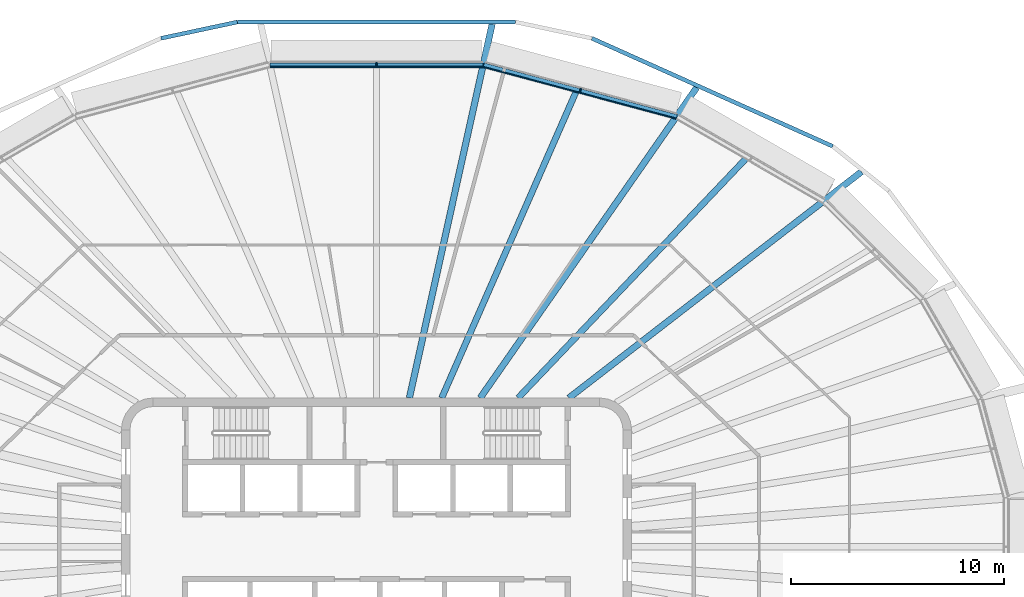
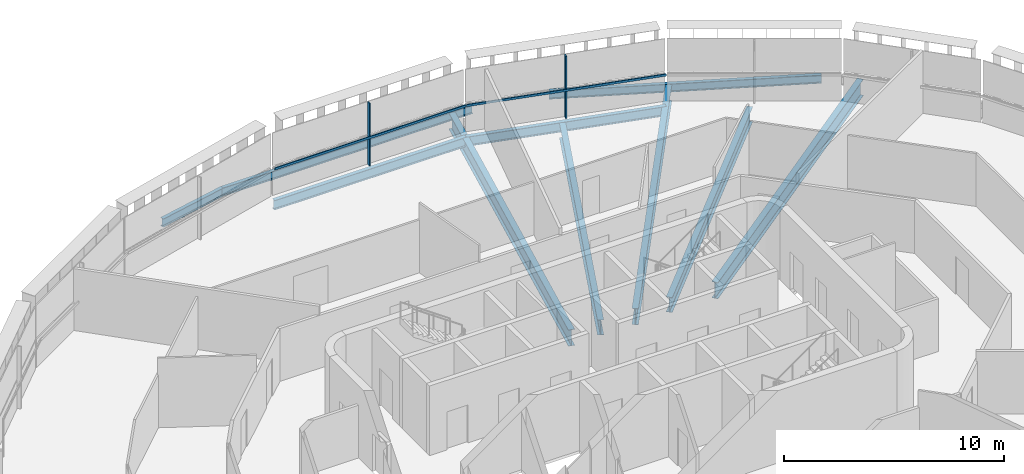
# One storey, part 7 of 20: 10 beams, 4 members, 2 elements without a shape of their own.
"""IFC4 building model written with IfcOpenShell, lengths in metres."""

from ifc_helpers import new_model, si_unit, direction, frame, origin, origin_2d, place, context, subcontext, project, spatial, rectangle, i_section, extrude, material, layer, layer_set, material_profile, profile_set, type_object, element, aggregate, save


model = new_model("IFC4")

# Units and contexts
model_context = context("Model", 3, precision=1e-05, world=origin(), true_north=direction((0.0, 1.0)))
body_context = subcontext(model_context, "Body", "Model", "MODEL_VIEW")
ifc_project = project(units=[si_unit("LENGTHUNIT", "METRE"), si_unit("AREAUNIT", "SQUARE_METRE"), si_unit("VOLUMEUNIT", "CUBIC_METRE"), si_unit("PLANEANGLEUNIT", "RADIAN"), si_unit("MASSUNIT", "GRAM", prefix="KILO")], contexts=[model_context])

# Site, building, storey
site_placement = place(None, origin())
site = spatial("IfcSite", under=ifc_project, at=site_placement, CompositionType="ELEMENT")
building_placement = place(site_placement, origin())
building = spatial("IfcBuilding", under=site, at=building_placement, Name="Sahrelin Media Tower", CompositionType="ELEMENT")
storey_placement = place(building_placement, frame((0.0, 0.0, 271.0)))
storey = spatial("IfcBuildingStorey", under=building, at=storey_placement, Name="L59", CompositionType="ELEMENT", Elevation=271.0)

# Beams
ifc_material_1 = material(Name="Steel S355", Category="steel")
ifc_material_profile_1 = material_profile(ifc_material_1, i_section(OverallWidth=0.208740234375, OverallDepth=0.5283203125, WebThickness=0.009521484375, FlangeThickness=0.01318359375, FilletRadius=0.0126953125, at=origin_2d()), Name="UB 533x210x82")
ifc_profile_set_1 = profile_set([ifc_material_profile_1], Name="Steel S355")
beam_type_1 = type_object("IfcBeamType", Name="Edge beam EB6", PredefinedType="BEAM", material=ifc_profile_set_1)
beam_1_placement = place(storey_placement, frame((-5.0166015625, 22.66162109375, -0.4140625), z_axis=(1.0, 0.0, 0.0), x_axis=(0.0, 1.0, 0.0)))
element("IfcBeam", 1, at=beam_1_placement, inside=storey, type_object=beam_type_1, Name="Edge beam L59-19", PredefinedType="BEAM", context=body_context, shape_type="SweptSolid", body=[
    extrude(i_section(OverallWidth=0.208740234375, OverallDepth=0.5283203125, WebThickness=0.009521484375, FlangeThickness=0.01318359375, FilletRadius=0.0126953125, at=origin_2d()), origin(), (0.0, 0.0, 1.0), 10.033203125),
])
beam_2_placement = place(storey_placement, frame((5.04541015625, 22.657958984375, -0.4140625), z_axis=(0.96592475054, -0.25882305982, 0.0), x_axis=(0.25882305982, 0.96592475054, 0.0)))
element("IfcBeam", 2, at=beam_2_placement, inside=storey, type_object=beam_type_1, Name="Edge beam L59-20", PredefinedType="BEAM", context=body_context, shape_type="SweptSolid", body=[
    extrude(i_section(OverallWidth=0.208740234375, OverallDepth=0.5283203125, WebThickness=0.009521484375, FlangeThickness=0.01318359375, FilletRadius=0.0126953125, at=origin_2d()), origin(), (0.0, 0.0, 1.0), 9.400634765625),
])

# Curtain wall, member
ifc_material_2 = material(Name="Champagne anodised aluminium 6063-T6", Category="aluminium")
ifc_layer = layer(ifc_material_2, 0.14990234375)
ifc_layer_set = layer_set([ifc_layer], Name="Tower ribbon curtain wall")
curtain_wall_type = type_object("IfcCurtainWallType", Name="Tower ribbon curtain wall", PredefinedType="NOTDEFINED", material=ifc_layer_set)
curtain_wall_1_placement = place(storey_placement, frame((9.624267578125, 21.586181640625, 0.0), z_axis=(0.0, 0.0, 1.0), x_axis=(1.0, 0.0, 0.0)))
curtain_wall_1 = element("IfcCurtainWall", 3, at=curtain_wall_1_placement, inside=storey, type_object=curtain_wall_type, Name="L59:CW:L59-05", PredefinedType="NOTDEFINED")
ifc_material_profile_2 = material_profile(ifc_material_2, rectangle(XDim=0.06005859375, YDim=0.199951171875, at=origin_2d()), Name="Mullion 60x200")
ifc_profile_set_2 = profile_set([ifc_material_profile_2], Name="Champagne anodised aluminium 6063-T6")
member_type_1 = type_object("IfcMemberType", Name="Mullion 60x200 CW1C", PredefinedType="MULLION", material=ifc_profile_set_2)
member_1_placement = place(storey_placement, frame((9.59326171875, 21.47021484375, 0.0), z_axis=(0.0, 0.0, 1.0), x_axis=(-0.965924019368, 0.258825788531, 0.0)))
member_1 = element("IfcMember", 4, at=member_1_placement, type_object=member_type_1, Name="L59:CWM:L59-05", PredefinedType="MULLION", context=body_context, shape_type="SweptSolid", body=[
    extrude(rectangle(XDim=0.06005859375, YDim=0.199951171875, at=origin_2d()), origin(), (0.0, 0.0, 1.0), 3.448486328125),
])

curtain_wall_2_placement = place(storey_placement, frame((0.0, 22.811767578125, 0.0), z_axis=(0.0, 0.0, 1.0), x_axis=(1.0, 0.0, 0.0)))
curtain_wall_2 = element("IfcCurtainWall", 5, at=curtain_wall_2_placement, inside=storey, type_object=curtain_wall_type, Name="L59:CW:L59-06", PredefinedType="NOTDEFINED")
member_2_placement = place(storey_placement, frame((0.0, 22.691650390625, 0.0), z_axis=(0.0, 0.0, 1.0), x_axis=(-1.0, 0.0, 0.0)))
member_2 = element("IfcMember", 6, at=member_2_placement, type_object=member_type_1, Name="L59:CWM:L59-06", PredefinedType="MULLION", context=body_context, shape_type="SweptSolid", body=[
    extrude(rectangle(XDim=0.06005859375, YDim=0.199951171875, at=origin_2d()), origin(), (0.0, 0.0, 1.0), 3.448486328125),
])

# Beams
ifc_material_profile_3 = material_profile(ifc_material_1, i_section(OverallWidth=0.30322265625, OverallDepth=0.903076171875, WebThickness=0.01513671875, FlangeThickness=0.020263671875, FilletRadius=0.01904296875, at=origin_2d()), Name="UB 914x305x201")
ifc_profile_set_3 = profile_set([ifc_material_profile_3], Name="Steel S355")
beam_type_2 = type_object("IfcBeamType", Name="Radial primary beam PB11", PredefinedType="BEAM", material=ifc_profile_set_3)
beam_3_placement = place(storey_placement, frame((9.05419921875, 7.0, -0.6015625), z_axis=(0.791130322108, 0.611647621954, 0.0), x_axis=(-0.611647621954, 0.791130322108, 0.0)))
element("IfcBeam", 7, at=beam_3_placement, inside=storey, type_object=beam_type_2, Name="Radial beam L59-04", PredefinedType="BEAM", context=body_context, shape_type="SweptSolid", body=[
    extrude(i_section(OverallWidth=0.30322265625, OverallDepth=0.903076171875, WebThickness=0.01513671875, FlangeThickness=0.020263671875, FilletRadius=0.01904296875, at=origin_2d()), origin(), (0.0, 0.0, 1.0), 17.3935546875),
])
beam_4_placement = place(storey_placement, frame((4.881103515625, 7.0, -0.6015625), z_axis=(0.571979497162, 0.820267916492, 0.0), x_axis=(-0.820267916492, 0.571979497162, 0.0)))
element("IfcBeam", 8, at=beam_4_placement, inside=storey, type_object=beam_type_2, Name="Radial beam L59-05", PredefinedType="BEAM", context=body_context, shape_type="SweptSolid", body=[
    extrude(i_section(OverallWidth=0.30322265625, OverallDepth=0.903076171875, WebThickness=0.01513671875, FlangeThickness=0.020263671875, FilletRadius=0.01904296875, at=origin_2d()), origin(), (0.0, 0.0, 1.0), 17.801513671875),
])
beam_5_placement = place(storey_placement, frame((1.550048828125, 7.0, -0.6015625), z_axis=(0.216179890333, 0.976353550214, 0.0), x_axis=(-0.976353550214, 0.216179890333, 0.0)))
element("IfcBeam", 9, at=beam_5_placement, inside=storey, type_object=beam_type_2, Name="Radial beam L59-06", PredefinedType="BEAM", context=body_context, shape_type="SweptSolid", body=[
    extrude(i_section(OverallWidth=0.30322265625, OverallDepth=0.903076171875, WebThickness=0.01513671875, FlangeThickness=0.020263671875, FilletRadius=0.01904296875, at=origin_2d()), origin(), (0.0, 0.0, 1.0), 18.01416015625),
])
ifc_material_profile_4 = material_profile(ifc_material_1, i_section(OverallWidth=0.291748046875, OverallDepth=0.8349609375, WebThickness=0.013916015625, FlangeThickness=0.018798828125, FilletRadius=0.017822265625, at=origin_2d()), Name="UB 838x292x176")
ifc_profile_set_4 = profile_set([ifc_material_profile_4], Name="Steel S355")
beam_type_3 = type_object("IfcBeamType", Name="Radial secondary beam SB10", PredefinedType="BEAM", material=ifc_profile_set_4)
beam_6_placement = place(storey_placement, frame((6.66357421875, 7.0, -0.5673828125), z_axis=(0.689494250155, 0.724291156237, 0.0), x_axis=(-0.724291156237, 0.689494250155, 0.0)))
element("IfcBeam", 10, at=beam_6_placement, inside=storey, type_object=beam_type_3, Name="Secondary beam L59-04", PredefinedType="BEAM", context=body_context, shape_type="SweptSolid", body=[
    extrude(i_section(OverallWidth=0.291748046875, OverallDepth=0.8349609375, WebThickness=0.013916015625, FlangeThickness=0.018798828125, FilletRadius=0.017822265625, at=origin_2d()), origin(), (0.0, 0.0, 1.0), 15.53369140625),
])
beam_7_placement = place(storey_placement, frame((3.07080078125, 7.0, -0.5673828125), z_axis=(0.40173488582, 0.915756016368, 0.0), x_axis=(-0.915756016368, 0.40173488582, 0.0)))
element("IfcBeam", 11, at=beam_7_placement, inside=storey, type_object=beam_type_3, Name="Secondary beam L59-05", PredefinedType="BEAM", context=body_context, shape_type="SweptSolid", body=[
    extrude(i_section(OverallWidth=0.291748046875, OverallDepth=0.8349609375, WebThickness=0.013916015625, FlangeThickness=0.018798828125, FilletRadius=0.017822265625, at=origin_2d()), origin(), (0.0, 0.0, 1.0), 15.711181640625),
])
ifc_material_profile_5 = material_profile(ifc_material_1, i_section(OverallWidth=0.1904296875, OverallDepth=0.45703125, WebThickness=0.009033203125, FlangeThickness=0.014404296875, FilletRadius=0.01025390625, at=origin_2d()), Name="UB 457x191x74")
ifc_profile_set_5 = profile_set([ifc_material_profile_5], Name="Steel S355")
beam_type_4 = type_object("IfcBeamType", Name="Tie chord TC5", PredefinedType="BEAM", material=ifc_profile_set_5)
beam_8_placement = place(storey_placement, frame((21.463134765625, 18.83642578125, -0.37841796875), z_axis=(-0.912453885524, 0.409179553242, 0.0), x_axis=(-0.409179553242, -0.912453885524, 0.0)))
element("IfcBeam", 12, at=beam_8_placement, inside=storey, type_object=beam_type_4, Name="Tie chord L59-04", PredefinedType="BEAM", context=body_context, shape_type="SweptSolid", body=[
    extrude(i_section(OverallWidth=0.1904296875, OverallDepth=0.45703125, WebThickness=0.009033203125, FlangeThickness=0.014404296875, FilletRadius=0.01025390625, at=origin_2d()), origin(), (0.0, 0.0, 1.0), 12.415283203125),
])
beam_9_placement = place(storey_placement, frame((6.54052734375, 24.683349609375, -0.37841796875), z_axis=(-1.0, 0.0, 0.0), x_axis=(0.0, -1.0, 0.0)))
element("IfcBeam", 13, at=beam_9_placement, inside=storey, type_object=beam_type_4, Name="Tie chord L59-06", PredefinedType="BEAM", context=body_context, shape_type="SweptSolid", body=[
    extrude(i_section(OverallWidth=0.1904296875, OverallDepth=0.45703125, WebThickness=0.009033203125, FlangeThickness=0.014404296875, FilletRadius=0.01025390625, at=origin_2d()), origin(), (0.0, 0.0, 1.0), 13.0810546875),
])
beam_10_placement = place(storey_placement, frame((-6.54052734375, 24.683349609375, -0.37841796875), z_axis=(-0.977988679387, -0.208657956932, 0.0), x_axis=(0.208657956932, -0.977988679387, 0.0)))
element("IfcBeam", 14, at=beam_10_placement, inside=storey, type_object=beam_type_4, Name="Tie chord L59-07", PredefinedType="BEAM", context=body_context, shape_type="SweptSolid", body=[
    extrude(i_section(OverallWidth=0.1904296875, OverallDepth=0.45703125, WebThickness=0.009033203125, FlangeThickness=0.014404296875, FilletRadius=0.01025390625, at=origin_2d()), origin(), (0.0, 0.0, 1.0), 3.675048828125),
])

# Member
ifc_material_profile_6 = material_profile(ifc_material_2, rectangle(XDim=0.050048828125, YDim=0.1201171875, at=origin_2d()), Name="Transom 50x120")
ifc_profile_set_6 = profile_set([ifc_material_profile_6], Name="Champagne anodised aluminium 6063-T6")
member_type_2 = type_object("IfcMemberType", Name="Transom 50x120 CW1C", PredefinedType="USERDEFINED", material=ifc_profile_set_6)
member_3_placement = place(storey_placement, frame((14.0859375, 20.13720703125, 1.60009765625), z_axis=(-0.965929790935, 0.25880424839, 0.0), x_axis=(-0.25880424839, -0.965929790935, 0.0)))
member_3 = element("IfcMember", 15, at=member_3_placement, type_object=member_type_2, Name="L59:CWT:L59-05", ObjectType="TRANSOM", PredefinedType="USERDEFINED", context=body_context, shape_type="SweptSolid", body=[
    extrude(rectangle(XDim=0.050048828125, YDim=0.1201171875, at=origin_2d()), origin(), (0.0, 0.0, 1.0), 9.369140625),
])

aggregate(curtain_wall_1, [member_1, member_3])

member_4_placement = place(storey_placement, frame((5.0009765625, 22.566650390625, 1.60009765625), z_axis=(-1.0, 0.0, 0.0), x_axis=(0.0, -1.0, 0.0)))
member_4 = element("IfcMember", 16, at=member_4_placement, type_object=member_type_2, Name="L59:CWT:L59-06", ObjectType="TRANSOM", PredefinedType="USERDEFINED", context=body_context, shape_type="SweptSolid", body=[
    extrude(rectangle(XDim=0.050048828125, YDim=0.1201171875, at=origin_2d()), origin(), (0.0, 0.0, 1.0), 10.001953125),
])

aggregate(curtain_wall_2, [member_2, member_4])

save(model, "model.ifc")
